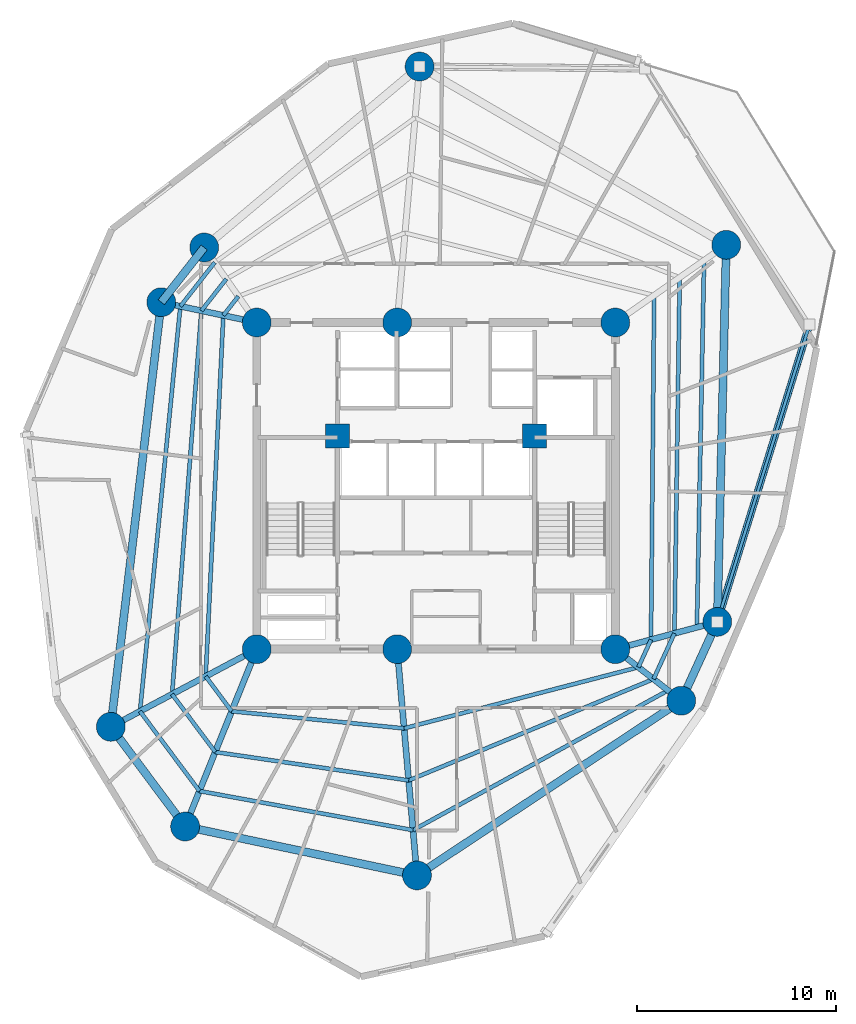
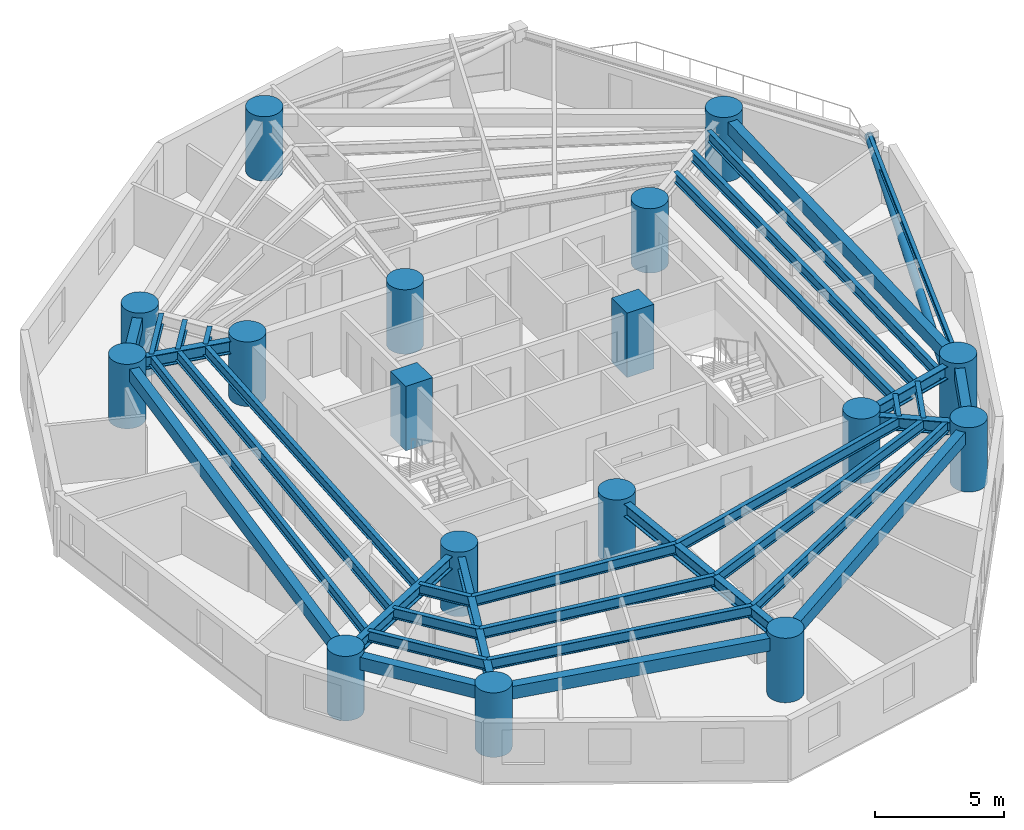
# One storey, part 1 of 9: 34 beams, 17 columns, 1 member.
"""IFC4 building model written with IfcOpenShell, lengths in metres."""

from ifc_helpers import new_model, si_unit, direction, frame, origin, origin_with_axes, origin_2d, place, context, subcontext, project, spatial, rectangle, circle, hollow_circle, i_section, extrude, source, transform, mapped, material, material_profile, profile_set, type_object, element, save


model = new_model("IFC4")

# Units and contexts
model_context = context("Model", 3, precision=1e-05, world=origin(), true_north=direction((0.0, 1.0)))
body_context = subcontext(model_context, "Body", "Model", "MODEL_VIEW")
ifc_project = project(units=[si_unit("LENGTHUNIT", "METRE"), si_unit("AREAUNIT", "SQUARE_METRE"), si_unit("VOLUMEUNIT", "CUBIC_METRE"), si_unit("PLANEANGLEUNIT", "RADIAN"), si_unit("MASSUNIT", "GRAM", prefix="KILO")], contexts=[model_context])

# Site, building, storey
site_placement = place(None, origin())
site = spatial("IfcSite", under=ifc_project, at=site_placement, CompositionType="ELEMENT")
building_placement = place(site_placement, origin())
building = spatial("IfcBuilding", under=site, at=building_placement, Name="Karkom Vertical University and Central Library", CompositionType="ELEMENT")
storey_placement = place(building_placement, frame((0.0, 0.0, 129.75)))
storey = spatial("IfcBuildingStorey", under=building, at=storey_placement, Name="L36", CompositionType="ELEMENT", Elevation=129.75)

# Columns
ifc_material_1 = material(Name="Concrete C50/60", Category="concrete")
ifc_material_profile_1 = material_profile(ifc_material_1, circle(Radius=0.72509765625, at=origin_2d()), Name="CFT-D1450")
ifc_profile_set_1 = profile_set([ifc_material_profile_1], Name="Concrete C50/60")
column_type_1 = type_object("IfcColumnType", Name="STR-COL-C-SC3", PredefinedType="COLUMN", material=ifc_profile_set_1)
shared_shape_1 = source(origin_with_axes(), body_context, "Body", "SweptSolid", [
    extrude(circle(Radius=0.72509765625, at=origin_2d()), origin(), (0.0, 0.0, 1.0), 3.050048828125),
])
for number, where, z_axis, x_axis, name in (
    (1, (19.5, 18.300048828125, 0.0), (0.0, 0.0, 1.0), (1.0, 0.0, 0.0), "Level 36 Spine Mega-Column SC-1"),
    (2, (26.550048828125, 18.300048828125, 0.0), (0.0, 0.0, 1.0), (1.0, 0.0, 0.0), "Level 36 Spine Mega-Column SC-2"),
    (3, (37.5, 18.300048828125, 0.0), (0.0, 0.0, 1.0), (1.0, 0.0, 0.0), "Level 36 Spine Mega-Column SC-3"),
    (4, (19.5, 34.699951171875, 0.0), (0.0, 0.0, 1.0), (1.0, 0.0, 0.0), "Level 36 Spine Mega-Column SC-4"),
    (5, (26.550048828125, 34.699951171875, 0.0), (0.0, 0.0, 1.0), (1.0, 0.0, 0.0), "Level 36 Spine Mega-Column SC-5"),
    (6, (37.5, 34.699951171875, 0.0), (0.0, 0.0, 1.0), (1.0, 0.0, 0.0), "Level 36 Spine Mega-Column SC-6"),
    (7, (42.618896484375, 19.672119140625, 0.0), (0.0, 0.0, 1.0), (1.0, 0.0, 0.0), "Level 36 Perimeter Mega-Column Z2-PC1"),
    (8, (43.070068359375, 38.60009765625, 0.0), (0.0, 0.0, 1.0), (1.0, 0.0, 0.0), "Level 36 Perimeter Mega-Column Z2-PC2"),
    (9, (27.674072265625, 47.551025390625, 0.0), (0.0, 0.0, 1.0), (1.0, 0.0, 0.0), "Level 36 Perimeter Mega-Column Z2-PC3"),
    (10, (16.862060546875, 38.468017578125, 0.0), (0.0, 0.0, 1.0), (1.0, 0.0, 0.0), "Level 36 Perimeter Mega-Column Z2-PC4"),
    (11, (14.70703125, 35.718994140625, 0.0), (0.0, 0.0, 1.0), (1.0, 0.0, 0.0), "Level 36 Perimeter Mega-Column Z2-PC5"),
    (12, (12.172119140625, 14.403076171875, 0.0), (0.0, 0.0, 1.0), (1.0, 0.0, 0.0), "Level 36 Perimeter Mega-Column Z2-PC6"),
    (13, (15.904052734375, 9.39892578125, 0.0), (0.0, 0.0, 1.0), (1.0, 0.0, 0.0), "Level 36 Perimeter Mega-Column Z2-PC7"),
    (14, (27.5439453125, 6.943115234375, 0.0), (0.0, 0.0, 1.0), (1.0, 0.0, 0.0), "Level 36 Perimeter Mega-Column Z2-PC8"),
    (15, (40.81005859375, 15.714111328125, 0.0), (0.0, 0.0, 1.0), (1.0, 0.0, 0.0), "Level 36 Perimeter Mega-Column Z2-PC9"),
):
    element("IfcColumn", number, at=place(storey_placement, frame(where, z_axis=z_axis, x_axis=x_axis)), inside=storey, type_object=column_type_1, Name=name, PredefinedType="COLUMN", context=body_context, shape_type="MappedRepresentation", body=[
        mapped(shared_shape_1, transform((0.0, 0.0, 0.0), scale=1.0)),
    ])
ifc_material_profile_2 = material_profile(ifc_material_1, rectangle(XDim=1.199951171875, YDim=1.199951171875, at=origin_2d()), Name="RC-1200x1200")
ifc_profile_set_2 = profile_set([ifc_material_profile_2], Name="Concrete C50/60")
column_type_2 = type_object("IfcColumnType", Name="STR-COL-C-CC1", PredefinedType="COLUMN", material=ifc_profile_set_2)
shared_shape_2 = source(origin_with_axes(), body_context, "Body", "SweptSolid", [
    extrude(rectangle(XDim=1.199951171875, YDim=1.199951171875, at=origin_2d()), origin(), (0.0, 0.0, 1.0), 3.050048828125),
])
for number, where, z_axis, x_axis, name in (
    (16, (23.550048828125, 29.0, 0.0), (0.0, 0.0, 1.0), (1.0, 0.0, 0.0), "Level 36 Core Node Column CC-1"),
    (17, (33.449951171875, 29.0, 0.0), (0.0, 0.0, 1.0), (1.0, 0.0, 0.0), "Level 36 Core Node Column CC-2"),
):
    element("IfcColumn", number, at=place(storey_placement, frame(where, z_axis=z_axis, x_axis=x_axis)), inside=storey, type_object=column_type_2, Name=name, PredefinedType="COLUMN", context=body_context, shape_type="MappedRepresentation", body=[
        mapped(shared_shape_2, transform((0.0, 0.0, 0.0), scale=1.0)),
    ])

# Beams
ifc_material_2 = material(Name="Precast concrete C45/55", Category="concrete")
ifc_material_profile_3 = material_profile(ifc_material_2, rectangle(XDim=0.39990234375, YDim=0.60009765625, at=origin_2d()), Name="SPB-400x600")
ifc_profile_set_3 = profile_set([ifc_material_profile_3], Name="Precast concrete C45/55")
beam_type_1 = type_object("IfcBeamType", Name="STR-BM-SP-1", PredefinedType="SPANDREL", material=ifc_profile_set_3)
shared_shape_3 = source(origin_with_axes(), body_context, "Body", "SweptSolid", [
    extrude(rectangle(XDim=0.39990234375, YDim=0.60009765625, at=origin_2d()), origin(), (0.0, 0.0, 1.0), 18.933349609375),
])
beam_1_placement = place(storey_placement, frame((42.618896484375, 19.672119140625, 2.52490234375), z_axis=(0.02382947333, 0.999716037783, 0.0), x_axis=(-0.999716037783, 0.02382947333, 0.0)))
element("IfcBeam", 18, at=beam_1_placement, inside=storey, type_object=beam_type_1, Name="Level 36 Perimeter Spandrel Beam 01", PredefinedType="SPANDREL", context=body_context, shape_type="MappedRepresentation", body=[
    mapped(shared_shape_3, transform((0.0, 0.0, 0.0), scale=1.0)),
])
shared_shape_4 = source(origin_with_axes(), body_context, "Body", "SweptSolid", [
    extrude(rectangle(XDim=0.39990234375, YDim=0.60009765625, at=origin_2d()), origin(), (0.0, 0.0, 1.0), 3.492919921875),
])
beam_2_placement = place(storey_placement, frame((16.862060546875, 38.468017578125, 2.52490234375), z_axis=(-0.616950700538, -0.787001799938, 0.0), x_axis=(0.787001799938, -0.616950700538, 0.0)))
element("IfcBeam", 19, at=beam_2_placement, inside=storey, type_object=beam_type_1, Name="Level 36 Perimeter Spandrel Beam 04", PredefinedType="SPANDREL", context=body_context, shape_type="MappedRepresentation", body=[
    mapped(shared_shape_4, transform((0.0, 0.0, 0.0), scale=1.0)),
])
shared_shape_5 = source(origin_with_axes(), body_context, "Body", "SweptSolid", [
    extrude(rectangle(XDim=0.39990234375, YDim=0.60009765625, at=origin_2d()), origin(), (0.0, 0.0, 1.0), 21.466064453125),
])
beam_3_placement = place(storey_placement, frame((14.70703125, 35.718994140625, 2.52490234375), z_axis=(-0.118088996795, -0.993003015522, 0.0), x_axis=(0.993003015522, -0.118088996795, 0.0)))
element("IfcBeam", 20, at=beam_3_placement, inside=storey, type_object=beam_type_1, Name="Level 36 Perimeter Spandrel Beam 05", PredefinedType="SPANDREL", context=body_context, shape_type="MappedRepresentation", body=[
    mapped(shared_shape_5, transform((0.0, 0.0, 0.0), scale=1.0)),
])
shared_shape_6 = source(origin_with_axes(), body_context, "Body", "SweptSolid", [
    extrude(rectangle(XDim=0.39990234375, YDim=0.60009765625, at=origin_2d()), origin(), (0.0, 0.0, 1.0), 6.242431640625),
])
beam_4_placement = place(storey_placement, frame((12.172119140625, 14.403076171875, 2.52490234375), z_axis=(0.59782643552, -0.801625569074, 0.0), x_axis=(0.801625569074, 0.59782643552, 0.0)))
element("IfcBeam", 21, at=beam_4_placement, inside=storey, type_object=beam_type_1, Name="Level 36 Perimeter Spandrel Beam 06", PredefinedType="SPANDREL", context=body_context, shape_type="MappedRepresentation", body=[
    mapped(shared_shape_6, transform((0.0, 0.0, 0.0), scale=1.0)),
])
shared_shape_7 = source(origin_with_axes(), body_context, "Body", "SweptSolid", [
    extrude(rectangle(XDim=0.39990234375, YDim=0.60009765625, at=origin_2d()), origin(), (0.0, 0.0, 1.0), 11.896240234375),
])
beam_5_placement = place(storey_placement, frame((15.904052734375, 9.39892578125, 2.52490234375), z_axis=(0.978459762135, -0.206437627101, 0.0), x_axis=(0.206437627101, 0.978459762135, 0.0)))
element("IfcBeam", 22, at=beam_5_placement, inside=storey, type_object=beam_type_1, Name="Level 36 Perimeter Spandrel Beam 07", PredefinedType="SPANDREL", context=body_context, shape_type="MappedRepresentation", body=[
    mapped(shared_shape_7, transform((0.0, 0.0, 0.0), scale=1.0)),
])
shared_shape_8 = source(origin_with_axes(), body_context, "Body", "SweptSolid", [
    extrude(rectangle(XDim=0.39990234375, YDim=0.60009765625, at=origin_2d()), origin(), (0.0, 0.0, 1.0), 15.903564453125),
])
beam_6_placement = place(storey_placement, frame((27.5439453125, 6.943115234375, 2.52490234375), z_axis=(0.834165069331, 0.551514856652, 0.0), x_axis=(-0.551514856652, 0.834165069331, 0.0)))
element("IfcBeam", 23, at=beam_6_placement, inside=storey, type_object=beam_type_1, Name="Level 36 Perimeter Spandrel Beam 08", PredefinedType="SPANDREL", context=body_context, shape_type="MappedRepresentation", body=[
    mapped(shared_shape_8, transform((0.0, 0.0, 0.0), scale=1.0)),
])
shared_shape_9 = source(origin_with_axes(), body_context, "Body", "SweptSolid", [
    extrude(rectangle(XDim=0.39990234375, YDim=0.60009765625, at=origin_2d()), origin(), (0.0, 0.0, 1.0), 4.351806640625),
])
beam_7_placement = place(storey_placement, frame((40.81005859375, 15.714111328125, 2.52490234375), z_axis=(0.415657668422, 0.909521139217, 0.0), x_axis=(-0.909521139217, 0.415657668422, 0.0)))
element("IfcBeam", 24, at=beam_7_placement, inside=storey, type_object=beam_type_1, Name="Level 36 Perimeter Spandrel Beam 09", PredefinedType="SPANDREL", context=body_context, shape_type="MappedRepresentation", body=[
    mapped(shared_shape_9, transform((0.0, 0.0, 0.0), scale=1.0)),
])
ifc_material_3 = material(Name="Steel S355", Category="steel")
ifc_material_profile_4 = material_profile(ifc_material_3, i_section(OverallWidth=0.199951171875, OverallDepth=0.5, WebThickness=0.01025390625, FlangeThickness=0.01611328125, FilletRadius=0.02099609375, at=origin_2d()), Name="IPE 500")
ifc_profile_set_4 = profile_set([ifc_material_profile_4], Name="Steel S355")
beam_type_2 = type_object("IfcBeamType", Name="STR-BM-SB-IPE500", PredefinedType="BEAM", material=ifc_profile_set_4)
shared_shape_10 = source(origin_with_axes(), body_context, "Body", "SweptSolid", [
    extrude(i_section(OverallWidth=0.199951171875, OverallDepth=0.5, WebThickness=0.01025390625, FlangeThickness=0.01611328125, FilletRadius=0.02099609375, at=origin_2d()), origin(), (0.0, 0.0, 1.0), 17.285400390625),
])
beam_8_placement = place(storey_placement, frame((39.29150390625, 18.7802734375, 2.574951171875), z_axis=(0.009138294648, 0.999958244914, 0.0), x_axis=(-0.999958244914, 0.009138294648, 0.0)))
element("IfcBeam", 25, at=beam_8_placement, inside=storey, type_object=beam_type_2, Name="Level 36 Secondary Composite Floor Beam 1.01", PredefinedType="BEAM", context=body_context, shape_type="MappedRepresentation", body=[
    mapped(shared_shape_10, transform((0.0, 0.0, 0.0), scale=1.0)),
])
shared_shape_11 = source(origin_with_axes(), body_context, "Body", "SweptSolid", [
    extrude(i_section(OverallWidth=0.199951171875, OverallDepth=0.5, WebThickness=0.01025390625, FlangeThickness=0.01611328125, FilletRadius=0.02099609375, at=origin_2d()), origin(), (0.0, 0.0, 1.0), 1.222412109375),
])
beam_9_placement = place(storey_placement, frame((18.57666015625, 36.018798828125, 2.574951171875), z_axis=(-0.616895037184, -0.787045432677, 0.0), x_axis=(0.787045432677, -0.616895037184, 0.0)))
element("IfcBeam", 26, at=beam_9_placement, inside=storey, type_object=beam_type_2, Name="Level 36 Secondary Composite Floor Beam 1.04", PredefinedType="BEAM", context=body_context, shape_type="MappedRepresentation", body=[
    mapped(shared_shape_11, transform((0.0, 0.0, 0.0), scale=1.0)),
])
shared_shape_12 = source(origin_with_axes(), body_context, "Body", "SweptSolid", [
    extrude(i_section(OverallWidth=0.199951171875, OverallDepth=0.5, WebThickness=0.01025390625, FlangeThickness=0.01611328125, FilletRadius=0.02099609375, at=origin_2d()), origin(), (0.0, 0.0, 1.0), 18.142333984375),
])
beam_10_placement = place(storey_placement, frame((17.822509765625, 35.056640625, 2.574951171875), z_axis=(-0.048902644774, -0.998803549921, 0.0), x_axis=(0.998803549921, -0.048902644774, 0.0)))
element("IfcBeam", 27, at=beam_10_placement, inside=storey, type_object=beam_type_2, Name="Level 36 Secondary Composite Floor Beam 1.05", PredefinedType="BEAM", context=body_context, shape_type="MappedRepresentation", body=[
    mapped(shared_shape_12, transform((0.0, 0.0, 0.0), scale=1.0)),
])
shared_shape_13 = source(origin_with_axes(), body_context, "Body", "SweptSolid", [
    extrude(i_section(OverallWidth=0.199951171875, OverallDepth=0.5, WebThickness=0.01025390625, FlangeThickness=0.01611328125, FilletRadius=0.02099609375, at=origin_2d()), origin(), (0.0, 0.0, 1.0), 2.1845703125),
])
beam_11_placement = place(storey_placement, frame((16.935302734375, 16.93603515625, 2.574951171875), z_axis=(0.597870130664, -0.801592980795, 0.0), x_axis=(0.801592980795, 0.597870130664, 0.0)))
element("IfcBeam", 28, at=beam_11_placement, inside=storey, type_object=beam_type_2, Name="Level 36 Secondary Composite Floor Beam 1.06", PredefinedType="BEAM", context=body_context, shape_type="MappedRepresentation", body=[
    mapped(shared_shape_13, transform((0.0, 0.0, 0.0), scale=1.0)),
])
shared_shape_14 = source(origin_with_axes(), body_context, "Body", "SweptSolid", [
    extrude(i_section(OverallWidth=0.199951171875, OverallDepth=0.5, WebThickness=0.01025390625, FlangeThickness=0.01611328125, FilletRadius=0.02099609375, at=origin_2d()), origin(), (0.0, 0.0, 1.0), 8.698974609375),
])
beam_12_placement = place(storey_placement, frame((18.241455078125, 15.184814453125, 2.574951171875), z_axis=(0.995105588045, -0.098817349903, 0.0), x_axis=(0.098817349903, 0.995105588045, 0.0)))
element("IfcBeam", 29, at=beam_12_placement, inside=storey, type_object=beam_type_2, Name="Level 36 Secondary Composite Floor Beam 1.07", PredefinedType="BEAM", context=body_context, shape_type="MappedRepresentation", body=[
    mapped(shared_shape_14, transform((0.0, 0.0, 0.0), scale=1.0)),
])
shared_shape_15 = source(origin_with_axes(), body_context, "Body", "SweptSolid", [
    extrude(i_section(OverallWidth=0.199951171875, OverallDepth=0.5, WebThickness=0.01025390625, FlangeThickness=0.01611328125, FilletRadius=0.02099609375, at=origin_2d()), origin(), (0.0, 0.0, 1.0), 12.154541015625),
])
beam_13_placement = place(storey_placement, frame((26.89794921875, 14.3251953125, 2.574951171875), z_axis=(0.967579719768, 0.252565805077, 0.0), x_axis=(-0.252565805077, 0.967579719768, 0.0)))
element("IfcBeam", 30, at=beam_13_placement, inside=storey, type_object=beam_type_2, Name="Level 36 Secondary Composite Floor Beam 1.08", PredefinedType="BEAM", context=body_context, shape_type="MappedRepresentation", body=[
    mapped(shared_shape_15, transform((0.0, 0.0, 0.0), scale=1.0)),
])
shared_shape_16 = source(origin_with_axes(), body_context, "Body", "SweptSolid", [
    extrude(i_section(OverallWidth=0.199951171875, OverallDepth=0.5, WebThickness=0.01025390625, FlangeThickness=0.01611328125, FilletRadius=0.02099609375, at=origin_2d()), origin(), (0.0, 0.0, 1.0), 1.52294921875),
])
beam_14_placement = place(storey_placement, frame((38.658447265625, 17.39501953125, 2.574951171875), z_axis=(0.415649898107, 0.909524690266, 0.0), x_axis=(-0.909524690266, 0.415649898107, 0.0)))
element("IfcBeam", 31, at=beam_14_placement, inside=storey, type_object=beam_type_2, Name="Level 36 Secondary Composite Floor Beam 1.09", PredefinedType="BEAM", context=body_context, shape_type="MappedRepresentation", body=[
    mapped(shared_shape_16, transform((0.0, 0.0, 0.0), scale=1.0)),
])
shared_shape_17 = source(origin_with_axes(), body_context, "Body", "SweptSolid", [
    extrude(i_section(OverallWidth=0.199951171875, OverallDepth=0.5, WebThickness=0.01025390625, FlangeThickness=0.01611328125, FilletRadius=0.02099609375, at=origin_2d()), origin(), (0.0, 0.0, 1.0), 17.8681640625),
])
beam_15_placement = place(storey_placement, frame((40.468994140625, 19.095703125, 2.574951171875), z_axis=(0.014647239676, 0.999892723431, 0.0), x_axis=(-0.999892723431, 0.014647239676, 0.0)))
element("IfcBeam", 32, at=beam_15_placement, inside=storey, type_object=beam_type_2, Name="Level 36 Secondary Composite Floor Beam 2.01", PredefinedType="BEAM", context=body_context, shape_type="MappedRepresentation", body=[
    mapped(shared_shape_17, transform((0.0, 0.0, 0.0), scale=1.0)),
])
shared_shape_18 = source(origin_with_axes(), body_context, "Body", "SweptSolid", [
    extrude(i_section(OverallWidth=0.199951171875, OverallDepth=0.5, WebThickness=0.01025390625, FlangeThickness=0.01611328125, FilletRadius=0.02099609375, at=origin_2d()), origin(), (0.0, 0.0, 1.0), 2.02587890625),
])
beam_16_placement = place(storey_placement, frame((17.969970703125, 36.885498046875, 2.574951171875), z_axis=(-0.616889733535, -0.787049589708, 0.0), x_axis=(0.787049589708, -0.616889733535, 0.0)))
element("IfcBeam", 33, at=beam_16_placement, inside=storey, type_object=beam_type_2, Name="Level 36 Secondary Composite Floor Beam 2.04", PredefinedType="BEAM", context=body_context, shape_type="MappedRepresentation", body=[
    mapped(shared_shape_18, transform((0.0, 0.0, 0.0), scale=1.0)),
])
shared_shape_19 = source(origin_with_axes(), body_context, "Body", "SweptSolid", [
    extrude(i_section(OverallWidth=0.199951171875, OverallDepth=0.5, WebThickness=0.01025390625, FlangeThickness=0.01611328125, FilletRadius=0.02099609375, at=origin_2d()), origin(), (0.0, 0.0, 1.0), 19.307373046875),
])
beam_17_placement = place(storey_placement, frame((16.72021484375, 35.291015625, 2.574951171875), z_axis=(-0.07616078645, -0.997095549387, 0.0), x_axis=(0.997095549387, -0.07616078645, 0.0)))
element("IfcBeam", 34, at=beam_17_placement, inside=storey, type_object=beam_type_2, Name="Level 36 Secondary Composite Floor Beam 2.05", PredefinedType="BEAM", context=body_context, shape_type="MappedRepresentation", body=[
    mapped(shared_shape_19, transform((0.0, 0.0, 0.0), scale=1.0)),
])
shared_shape_20 = source(origin_with_axes(), body_context, "Body", "SweptSolid", [
    extrude(i_section(OverallWidth=0.199951171875, OverallDepth=0.5, WebThickness=0.01025390625, FlangeThickness=0.01611328125, FilletRadius=0.02099609375, at=origin_2d()), origin(), (0.0, 0.0, 1.0), 3.62060546875),
])
beam_18_placement = place(storey_placement, frame((15.249755859375, 16.039794921875, 2.574951171875), z_axis=(0.59784003707, -0.801615425298, 0.0), x_axis=(0.801615425298, 0.59784003707, 0.0)))
element("IfcBeam", 35, at=beam_18_placement, inside=storey, type_object=beam_type_2, Name="Level 36 Secondary Composite Floor Beam 2.06", PredefinedType="BEAM", context=body_context, shape_type="MappedRepresentation", body=[
    mapped(shared_shape_20, transform((0.0, 0.0, 0.0), scale=1.0)),
])
shared_shape_21 = source(origin_with_axes(), body_context, "Body", "SweptSolid", [
    extrude(i_section(OverallWidth=0.199951171875, OverallDepth=0.5, WebThickness=0.01025390625, FlangeThickness=0.01611328125, FilletRadius=0.02099609375, at=origin_2d()), origin(), (0.0, 0.0, 1.0), 9.816162109375),
])
beam_19_placement = place(storey_placement, frame((17.414306640625, 13.137451171875, 2.574951171875), z_axis=(0.989413295367, -0.145125225069, 0.0), x_axis=(0.145125225069, 0.989413295367, 0.0)))
element("IfcBeam", 36, at=beam_19_placement, inside=storey, type_object=beam_type_2, Name="Level 36 Secondary Composite Floor Beam 2.07", PredefinedType="BEAM", context=body_context, shape_type="MappedRepresentation", body=[
    mapped(shared_shape_21, transform((0.0, 0.0, 0.0), scale=1.0)),
])
shared_shape_22 = source(origin_with_axes(), body_context, "Body", "SweptSolid", [
    extrude(i_section(OverallWidth=0.199951171875, OverallDepth=0.5, WebThickness=0.01025390625, FlangeThickness=0.01611328125, FilletRadius=0.02099609375, at=origin_2d()), origin(), (0.0, 0.0, 1.0), 13.304443359375),
])
beam_20_placement = place(storey_placement, frame((27.12646484375, 11.712890625, 2.574951171875), z_axis=(0.924011243398, 0.382365299255, 0.0), x_axis=(-0.382365299255, 0.924011243398, 0.0)))
element("IfcBeam", 37, at=beam_20_placement, inside=storey, type_object=beam_type_2, Name="Level 36 Secondary Composite Floor Beam 2.08", PredefinedType="BEAM", context=body_context, shape_type="MappedRepresentation", body=[
    mapped(shared_shape_22, transform((0.0, 0.0, 0.0), scale=1.0)),
])
shared_shape_23 = source(origin_with_axes(), body_context, "Body", "SweptSolid", [
    extrude(i_section(OverallWidth=0.199951171875, OverallDepth=0.5, WebThickness=0.01025390625, FlangeThickness=0.01611328125, FilletRadius=0.02099609375, at=origin_2d()), origin(), (0.0, 0.0, 1.0), 2.52392578125),
])
beam_21_placement = place(storey_placement, frame((39.419921875, 16.800048828125, 2.574951171875), z_axis=(0.415638602127, 0.909529852408, 0.0), x_axis=(-0.909529852408, 0.415638602127, 0.0)))
element("IfcBeam", 38, at=beam_21_placement, inside=storey, type_object=beam_type_2, Name="Level 36 Secondary Composite Floor Beam 2.09", PredefinedType="BEAM", context=body_context, shape_type="MappedRepresentation", body=[
    mapped(shared_shape_23, transform((0.0, 0.0, 0.0), scale=1.0)),
])
shared_shape_24 = source(origin_with_axes(), body_context, "Body", "SweptSolid", [
    extrude(i_section(OverallWidth=0.199951171875, OverallDepth=0.5, WebThickness=0.01025390625, FlangeThickness=0.01611328125, FilletRadius=0.02099609375, at=origin_2d()), origin(), (0.0, 0.0, 1.0), 18.42578125),
])
beam_22_placement = place(storey_placement, frame((41.59521484375, 19.397705078125, 2.574951171875), z_axis=(0.019583298818, 0.999808228816, 0.0), x_axis=(-0.999808228816, 0.019583298818, 0.0)))
element("IfcBeam", 39, at=beam_22_placement, inside=storey, type_object=beam_type_2, Name="Level 36 Secondary Composite Floor Beam 3.01", PredefinedType="BEAM", context=body_context, shape_type="MappedRepresentation", body=[
    mapped(shared_shape_24, transform((0.0, 0.0, 0.0), scale=1.0)),
])
shared_shape_25 = source(origin_with_axes(), body_context, "Body", "SweptSolid", [
    extrude(i_section(OverallWidth=0.199951171875, OverallDepth=0.5, WebThickness=0.01025390625, FlangeThickness=0.01611328125, FilletRadius=0.02099609375, at=origin_2d()), origin(), (0.0, 0.0, 1.0), 2.79443359375),
])
beam_23_placement = place(storey_placement, frame((17.3896484375, 37.71435546875, 2.574951171875), z_axis=(-0.616972344898, -0.786984831894, 0.0), x_axis=(0.786984831894, -0.616972344898, 0.0)))
element("IfcBeam", 40, at=beam_23_placement, inside=storey, type_object=beam_type_2, Name="Level 36 Secondary Composite Floor Beam 3.04", PredefinedType="BEAM", context=body_context, shape_type="MappedRepresentation", body=[
    mapped(shared_shape_25, transform((0.0, 0.0, 0.0), scale=1.0)),
])
shared_shape_26 = source(origin_with_axes(), body_context, "Body", "SweptSolid", [
    extrude(i_section(OverallWidth=0.199951171875, OverallDepth=0.5, WebThickness=0.01025390625, FlangeThickness=0.01611328125, FilletRadius=0.02099609375, at=origin_2d()), origin(), (0.0, 0.0, 1.0), 20.43359375),
])
beam_24_placement = place(storey_placement, frame((15.66552734375, 35.51513671875, 2.574951171875), z_axis=(-0.099239913611, -0.995063535432, 0.0), x_axis=(0.995063535432, -0.099239913611, 0.0)))
element("IfcBeam", 41, at=beam_24_placement, inside=storey, type_object=beam_type_2, Name="Level 36 Secondary Composite Floor Beam 3.05", PredefinedType="BEAM", context=body_context, shape_type="MappedRepresentation", body=[
    mapped(shared_shape_26, transform((0.0, 0.0, 0.0), scale=1.0)),
])
shared_shape_27 = source(origin_with_axes(), body_context, "Body", "SweptSolid", [
    extrude(i_section(OverallWidth=0.199951171875, OverallDepth=0.5, WebThickness=0.01025390625, FlangeThickness=0.01611328125, FilletRadius=0.02099609375, at=origin_2d()), origin(), (0.0, 0.0, 1.0), 4.993896484375),
])
beam_25_placement = place(storey_placement, frame((13.6376953125, 15.182373046875, 2.574951171875), z_axis=(0.597846775537, -0.801610399745, 0.0), x_axis=(0.801610399745, 0.597846775537, 0.0)))
element("IfcBeam", 42, at=beam_25_placement, inside=storey, type_object=beam_type_2, Name="Level 36 Secondary Composite Floor Beam 3.06", PredefinedType="BEAM", context=body_context, shape_type="MappedRepresentation", body=[
    mapped(shared_shape_27, transform((0.0, 0.0, 0.0), scale=1.0)),
])
shared_shape_28 = source(origin_with_axes(), body_context, "Body", "SweptSolid", [
    extrude(i_section(OverallWidth=0.199951171875, OverallDepth=0.5, WebThickness=0.01025390625, FlangeThickness=0.01611328125, FilletRadius=0.02099609375, at=origin_2d()), origin(), (0.0, 0.0, 1.0), 10.900390625),
])
beam_26_placement = place(storey_placement, frame((16.623291015625, 11.17919921875, 2.574951171875), z_axis=(0.98362026014, -0.180253110495, 0.0), x_axis=(0.180253110495, 0.98362026014, 0.0)))
element("IfcBeam", 43, at=beam_26_placement, inside=storey, type_object=beam_type_2, Name="Level 36 Secondary Composite Floor Beam 3.07", PredefinedType="BEAM", context=body_context, shape_type="MappedRepresentation", body=[
    mapped(shared_shape_28, transform((0.0, 0.0, 0.0), scale=1.0)),
])
shared_shape_29 = source(origin_with_axes(), body_context, "Body", "SweptSolid", [
    extrude(i_section(OverallWidth=0.199951171875, OverallDepth=0.5, WebThickness=0.01025390625, FlangeThickness=0.01611328125, FilletRadius=0.02099609375, at=origin_2d()), origin(), (0.0, 0.0, 1.0), 14.599609375),
])
beam_27_placement = place(storey_placement, frame((27.34521484375, 9.21435546875, 2.574951171875), z_axis=(0.876928143127, 0.480621505752, 0.0), x_axis=(-0.480621505752, 0.876928143127, 0.0)))
element("IfcBeam", 44, at=beam_27_placement, inside=storey, type_object=beam_type_2, Name="Level 36 Secondary Composite Floor Beam 3.08", PredefinedType="BEAM", context=body_context, shape_type="MappedRepresentation", body=[
    mapped(shared_shape_29, transform((0.0, 0.0, 0.0), scale=1.0)),
])
ifc_material_profile_5 = material_profile(ifc_material_3, i_section(OverallWidth=0.300048828125, OverallDepth=0.60009765625, WebThickness=0.015380859375, FlangeThickness=0.030029296875, FilletRadius=0.027099609375, at=origin_2d()), Name="HE 600 B")
ifc_profile_set_5 = profile_set([ifc_material_profile_5], Name="Steel S355")
beam_type_3 = type_object("IfcBeamType", Name="STR-BM-SB-HE600", PredefinedType="USERDEFINED", material=ifc_profile_set_5)
shared_shape_30 = source(origin_with_axes(), body_context, "Body", "SweptSolid", [
    extrude(i_section(OverallWidth=0.300048828125, OverallDepth=0.60009765625, WebThickness=0.015380859375, FlangeThickness=0.030029296875, FilletRadius=0.027099609375, at=origin_2d()), origin(), (0.0, 0.0, 1.0), 5.299560546875),
])
beam_28_placement = place(storey_placement, frame((37.5, 18.300048828125, 2.52490234375), z_axis=(0.965903833688, 0.258901108663, 0.0), x_axis=(-0.258901108663, 0.965903833688, 0.0)))
element("IfcBeam", 45, at=beam_28_placement, inside=storey, type_object=beam_type_3, Name="Level 36 Radial Frame Girder 01", ObjectType="GIRDER", PredefinedType="USERDEFINED", context=body_context, shape_type="MappedRepresentation", body=[
    mapped(shared_shape_30, transform((0.0, 0.0, 0.0), scale=1.0)),
])
shared_shape_31 = source(origin_with_axes(), body_context, "Body", "SweptSolid", [
    extrude(i_section(OverallWidth=0.300048828125, OverallDepth=0.60009765625, WebThickness=0.015380859375, FlangeThickness=0.030029296875, FilletRadius=0.027099609375, at=origin_2d()), origin(), (0.0, 0.0, 1.0), 4.900146484375),
])
beam_29_placement = place(storey_placement, frame((19.5, 34.699951171875, 2.52490234375), z_axis=(-0.978136559131, 0.207963630695, 0.0), x_axis=(-0.207963630695, -0.978136559131, 0.0)))
element("IfcBeam", 46, at=beam_29_placement, inside=storey, type_object=beam_type_3, Name="Level 36 Radial Frame Girder 05", ObjectType="GIRDER", PredefinedType="USERDEFINED", context=body_context, shape_type="MappedRepresentation", body=[
    mapped(shared_shape_31, transform((0.0, 0.0, 0.0), scale=1.0)),
])
shared_shape_32 = source(origin_with_axes(), body_context, "Body", "SweptSolid", [
    extrude(i_section(OverallWidth=0.300048828125, OverallDepth=0.60009765625, WebThickness=0.015380859375, FlangeThickness=0.030029296875, FilletRadius=0.027099609375, at=origin_2d()), origin(), (0.0, 0.0, 1.0), 8.299560546875),
])
beam_30_placement = place(storey_placement, frame((19.5, 18.300048828125, 2.52490234375), z_axis=(-0.882914163564, -0.469534428746, 0.0), x_axis=(0.469534428746, -0.882914163564, 0.0)))
element("IfcBeam", 47, at=beam_30_placement, inside=storey, type_object=beam_type_3, Name="Level 36 Radial Frame Girder 06", ObjectType="GIRDER", PredefinedType="USERDEFINED", context=body_context, shape_type="MappedRepresentation", body=[
    mapped(shared_shape_32, transform((0.0, 0.0, 0.0), scale=1.0)),
])
shared_shape_33 = source(origin_with_axes(), body_context, "Body", "SweptSolid", [
    extrude(i_section(OverallWidth=0.300048828125, OverallDepth=0.60009765625, WebThickness=0.015380859375, FlangeThickness=0.030029296875, FilletRadius=0.027099609375, at=origin_2d()), origin(), (0.0, 0.0, 1.0), 9.60009765625),
])
beam_31_placement = place(storey_placement, frame((19.5, 18.300048828125, 2.52490234375), z_axis=(-0.374576157034, -0.927196151082, 0.0), x_axis=(0.927196151082, -0.374576157034, 0.0)))
element("IfcBeam", 48, at=beam_31_placement, inside=storey, type_object=beam_type_3, Name="Level 36 Radial Frame Girder 07", ObjectType="GIRDER", PredefinedType="USERDEFINED", context=body_context, shape_type="MappedRepresentation", body=[
    mapped(shared_shape_33, transform((0.0, 0.0, 0.0), scale=1.0)),
])
shared_shape_34 = source(origin_with_axes(), body_context, "Body", "SweptSolid", [
    extrude(i_section(OverallWidth=0.300048828125, OverallDepth=0.60009765625, WebThickness=0.015380859375, FlangeThickness=0.030029296875, FilletRadius=0.027099609375, at=origin_2d()), origin(), (0.0, 0.0, 1.0), 11.400390625),
])
beam_32_placement = place(storey_placement, frame((26.550048828125, 18.300048828125, 2.52490234375), z_axis=(0.087181295702, -0.996192462168, 0.0), x_axis=(0.996192462168, 0.087181295702, 0.0)))
element("IfcBeam", 49, at=beam_32_placement, inside=storey, type_object=beam_type_3, Name="Level 36 Radial Frame Girder 08", ObjectType="GIRDER", PredefinedType="USERDEFINED", context=body_context, shape_type="MappedRepresentation", body=[
    mapped(shared_shape_34, transform((0.0, 0.0, 0.0), scale=1.0)),
])
shared_shape_35 = source(origin_with_axes(), body_context, "Body", "SweptSolid", [
    extrude(i_section(OverallWidth=0.300048828125, OverallDepth=0.60009765625, WebThickness=0.015380859375, FlangeThickness=0.030029296875, FilletRadius=0.027099609375, at=origin_2d()), origin(), (0.0, 0.0, 1.0), 4.200439453125),
])
beam_33_placement = place(storey_placement, frame((37.5, 18.300048828125, 2.52490234375), z_axis=(0.788029660796, -0.615637274461, 0.0), x_axis=(0.615637274461, 0.788029660796, 0.0)))
element("IfcBeam", 50, at=beam_33_placement, inside=storey, type_object=beam_type_3, Name="Level 36 Radial Frame Girder 09", ObjectType="GIRDER", PredefinedType="USERDEFINED", context=body_context, shape_type="MappedRepresentation", body=[
    mapped(shared_shape_35, transform((0.0, 0.0, 0.0), scale=1.0)),
])
ifc_material_profile_6 = material_profile(ifc_material_3, i_section(OverallWidth=0.159912109375, OverallDepth=0.330078125, WebThickness=0.007568359375, FlangeThickness=0.011474609375, FilletRadius=0.01806640625, at=origin_2d()), Name="IPE 330")
ifc_profile_set_6 = profile_set([ifc_material_profile_6], Name="Steel S355")
beam_type_4 = type_object("IfcBeamType", Name="STR-BM-SB-IPE330", PredefinedType="BEAM", material=ifc_profile_set_6)
shared_shape_36 = source(origin_with_axes(), body_context, "Body", "SweptSolid", [
    extrude(i_section(OverallWidth=0.159912109375, OverallDepth=0.330078125, WebThickness=0.007568359375, FlangeThickness=0.011474609375, FilletRadius=0.01806640625, at=origin_2d()), origin(), (0.0, 0.0, 1.0), 15.63525390625),
])
beam_34_placement = place(storey_placement, frame((42.618896484375, 19.672119140625, 2.659912109375), z_axis=(0.29629165348, 0.955097511293, 0.0), x_axis=(-0.955097511293, 0.29629165348, 0.0)))
element("IfcBeam", 51, at=beam_34_placement, inside=storey, type_object=beam_type_4, Name="Level 36 Sky Garden Outrigger Support Beam 1", PredefinedType="BEAM", context=body_context, shape_type="MappedRepresentation", body=[
    mapped(shared_shape_36, transform((0.0, 0.0, 0.0), scale=1.0)),
])

# Member
ifc_material_profile_7 = material_profile(ifc_material_3, hollow_circle(Radius=0.177734375, WallThickness=0.01611328125, at=origin_2d()), Name="CHS 355.6x16")
ifc_profile_set_7 = profile_set([ifc_material_profile_7], Name="Steel S355")
member_type = type_object("IfcMemberType", Name="STR-MEM-BR-3", PredefinedType="BRACE", material=ifc_profile_set_7)
shared_shape_37 = source(origin_with_axes(), body_context, "Body", "SweptSolid", [
    extrude(hollow_circle(Radius=0.177734375, WallThickness=0.01611328125, at=origin_2d()), origin(), (0.0, 0.0, 1.0), 15.804931640625),
])
member_placement = place(storey_placement, frame((42.618896484375, 19.672119140625, 0.35009765625), z_axis=(0.293110386393, 0.944842682166, 0.146145842723), x_axis=(-0.955097511293, 0.29629165348, 0.0)))
element("IfcMember", 52, at=member_placement, inside=storey, type_object=member_type, Name="Level 36 Sky Garden Knee Strut Brace 1", PredefinedType="BRACE", context=body_context, shape_type="MappedRepresentation", body=[
    mapped(shared_shape_37, transform((0.0, 0.0, 0.0), scale=1.0)),
])

save(model, "model.ifc")
